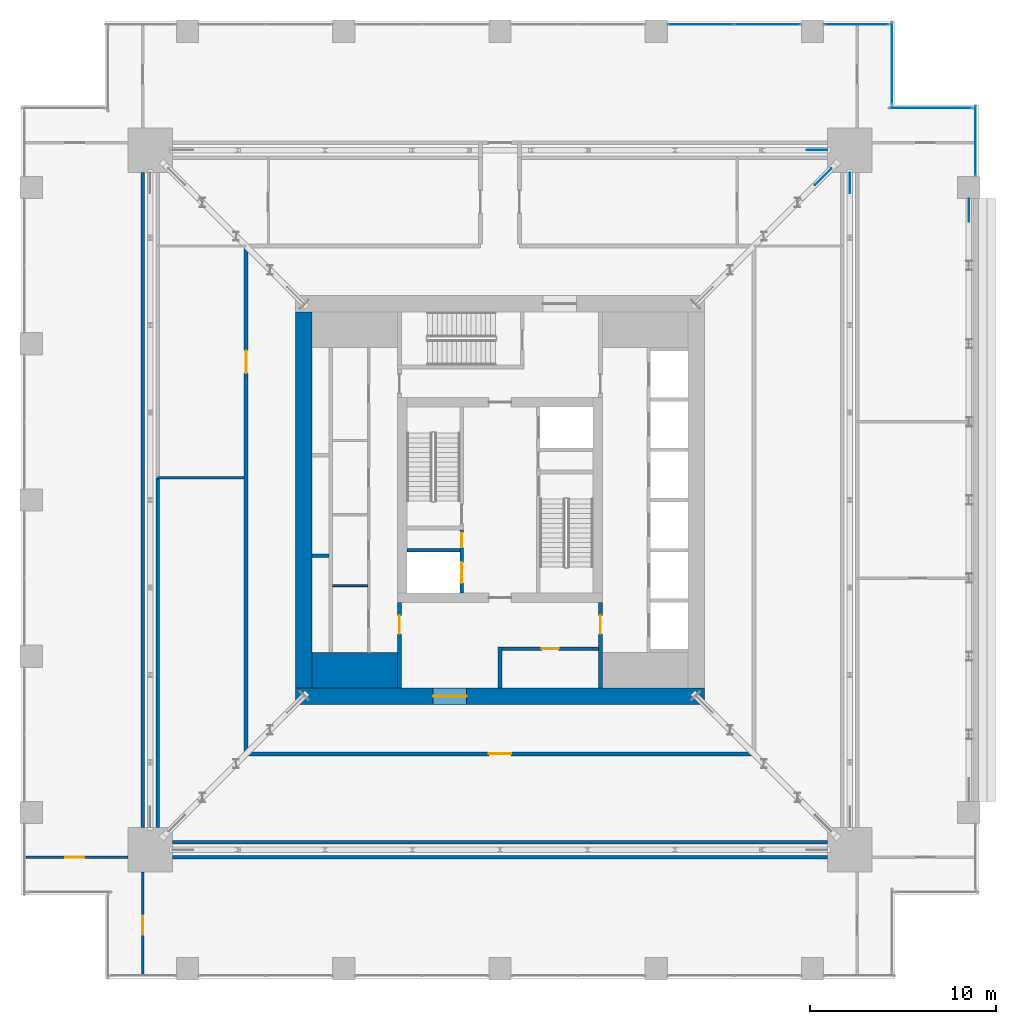
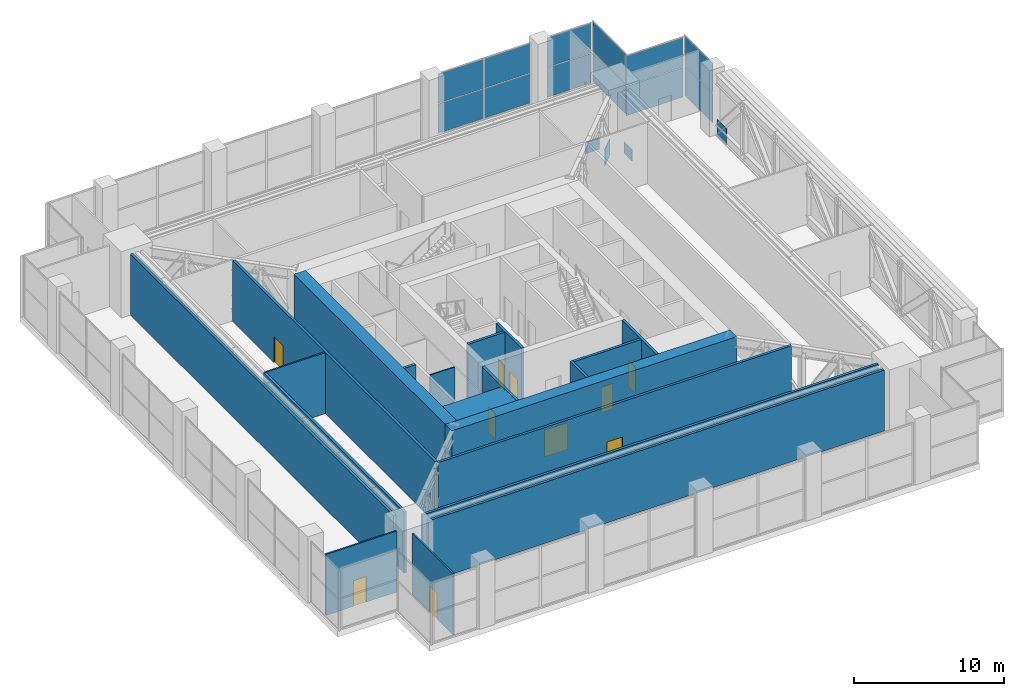
# One storey, part 15 of 21: 20 walls, 16 plates, 10 doors, 10 openings, 5 elements without a shape of their own.
"""IFC4 building model written with IfcOpenShell, lengths in metres."""

from ifc_helpers import new_model, si_unit, direction, frame, frame_2d, origin, origin_2d, place, context, subcontext, project, spatial, rectangle, extrude, material, layer, layer_set, type_object, element, fill, aggregate, save


model = new_model("IFC4")

# Units and contexts
model_context = context("Model", 3, precision=1e-05, world=origin(), true_north=direction((0.0, 1.0)))
body_context = subcontext(model_context, "Body", "Model", "MODEL_VIEW")
ifc_project = project(units=[si_unit("LENGTHUNIT", "METRE"), si_unit("AREAUNIT", "SQUARE_METRE"), si_unit("VOLUMEUNIT", "CUBIC_METRE"), si_unit("PLANEANGLEUNIT", "RADIAN"), si_unit("MASSUNIT", "GRAM", prefix="KILO")], contexts=[model_context])

# Site, building, storey
site_placement = place(None, origin())
site = spatial("IfcSite", under=ifc_project, at=site_placement, CompositionType="ELEMENT")
building_placement = place(site_placement, origin())
building = spatial("IfcBuilding", under=site, at=building_placement, Name="Khepri Terraces", CompositionType="ELEMENT")
storey_placement = place(building_placement, frame((0.0, 0.0, 235.199951171875)))
storey = spatial("IfcBuildingStorey", under=building, at=storey_placement, Name="L56", CompositionType="ELEMENT", Elevation=235.199951171875)

# Curtain wall, plates
ifc_material_1 = material(Name="Anodised aluminium bronze curtain wall", Category="aluminium")
curtain_wall_type = type_object("IfcCurtainWallType", Name="CW-SYS3-SKY", PredefinedType="NOTDEFINED", material=ifc_material_1)
curtain_wall_1_placement = place(storey_placement, origin())
curtain_wall_1 = element("IfcCurtainWall", 1, at=curtain_wall_1_placement, inside=storey, type_object=curtain_wall_type, Name="Curtain wall CW3 L56 E", PredefinedType="NOTDEFINED")
ifc_material_2 = material(Name="Clear glass", Category="glass")
ifc_layer_1 = layer(ifc_material_2, 0.028076171875, Name="Clear glass", Category="glass")
ifc_layer_set_1 = layer_set([ifc_layer_1], Name="Clear glass")
plate_type_1 = type_object("IfcPlateType", Name="CW-PANEL-VISION-28", PredefinedType="CURTAIN_PANEL", material=ifc_layer_set_1)
plate_1_placement = place(storey_placement, frame((25.570068359375, 19.31005859375, 0.06005859375), z_axis=(0.0, 0.0, 1.0), x_axis=(0.0, 1.0, 0.0)))
plate_1 = element("IfcPlate", 2, at=plate_1_placement, type_object=plate_type_1, Name="CW3 panel 1.1", PredefinedType="CURTAIN_PANEL", context=body_context, shape_type="SweptSolid", body=[
    extrude(rectangle(XDim=3.699951171875, YDim=0.028076171875, at=origin_2d()), origin(), (0.0, 0.0, 1.0), 2.39990234375),
])
plate_2_placement = place(storey_placement, frame((25.570068359375, 19.31005859375, 2.52001953125), z_axis=(0.0, 0.0, 1.0), x_axis=(0.0, 1.0, 0.0)))
plate_2 = element("IfcPlate", 3, at=plate_2_placement, type_object=plate_type_1, Name="CW3 panel 1.2", PredefinedType="CURTAIN_PANEL", context=body_context, shape_type="SweptSolid", body=[
    extrude(rectangle(XDim=3.699951171875, YDim=0.028076171875, at=origin_2d()), origin(), (0.0, 0.0, 1.0), 2.39990234375),
])
aggregate(curtain_wall_1, [plate_1, plate_2])

curtain_wall_2_placement = place(storey_placement, origin())
curtain_wall_2 = element("IfcCurtainWall", 4, at=curtain_wall_2_placement, inside=storey, type_object=curtain_wall_type, Name="Curtain wall CW3 L56 N", PredefinedType="NOTDEFINED")
plate_3_placement = place(storey_placement, frame((23.169921875, 21.070068359375, 0.06005859375), z_axis=(0.0, 0.0, 1.0), x_axis=(-1.0, 0.0, 0.0)))
plate_3 = element("IfcPlate", 5, at=plate_3_placement, type_object=plate_type_1, Name="CW3 panel 1.1", PredefinedType="CURTAIN_PANEL", context=body_context, shape_type="SweptSolid", body=[
    extrude(rectangle(XDim=4.3798828125, YDim=0.028076171875, at=origin_2d()), origin(), (0.0, 0.0, 1.0), 2.39990234375),
])
plate_4_placement = place(storey_placement, frame((23.169921875, 21.070068359375, 2.52001953125), z_axis=(0.0, 0.0, 1.0), x_axis=(-1.0, 0.0, 0.0)))
plate_4 = element("IfcPlate", 6, at=plate_4_placement, type_object=plate_type_1, Name="CW3 panel 1.2", PredefinedType="CURTAIN_PANEL", context=body_context, shape_type="SweptSolid", body=[
    extrude(rectangle(XDim=4.3798828125, YDim=0.028076171875, at=origin_2d()), origin(), (0.0, 0.0, 1.0), 2.39990234375),
])
aggregate(curtain_wall_2, [plate_3, plate_4])

curtain_wall_3_placement = place(storey_placement, origin())
curtain_wall_3 = element("IfcCurtainWall", 7, at=curtain_wall_3_placement, inside=storey, type_object=curtain_wall_type, Name="Curtain wall CW3 L56 E", PredefinedType="NOTDEFINED")
plate_5_placement = place(storey_placement, frame((21.070068359375, 23.469970703125, 0.06005859375), z_axis=(0.0, 0.0, 1.0), x_axis=(0.0, 1.0, 0.0)))
plate_5 = element("IfcPlate", 8, at=plate_5_placement, type_object=plate_type_1, Name="CW3 panel 1.1", PredefinedType="CURTAIN_PANEL", context=body_context, shape_type="SweptSolid", body=[
    extrude(rectangle(XDim=4.3798828125, YDim=0.028076171875, at=origin_2d()), origin(), (0.0, 0.0, 1.0), 2.39990234375),
])
plate_6_placement = place(storey_placement, frame((21.070068359375, 23.469970703125, 2.52001953125), z_axis=(0.0, 0.0, 1.0), x_axis=(0.0, 1.0, 0.0)))
plate_6 = element("IfcPlate", 9, at=plate_6_placement, type_object=plate_type_1, Name="CW3 panel 1.2", PredefinedType="CURTAIN_PANEL", context=body_context, shape_type="SweptSolid", body=[
    extrude(rectangle(XDim=4.3798828125, YDim=0.028076171875, at=origin_2d()), origin(), (0.0, 0.0, 1.0), 2.39990234375),
])
aggregate(curtain_wall_3, [plate_5, plate_6])

curtain_wall_4_placement = place(storey_placement, origin())
curtain_wall_4 = element("IfcCurtainWall", 10, at=curtain_wall_4_placement, inside=storey, type_object=curtain_wall_type, Name="Curtain wall CW3 L56 N", PredefinedType="NOTDEFINED")
plate_7_placement = place(storey_placement, frame((19.159912109375, 25.570068359375, 0.06005859375), z_axis=(0.0, 0.0, 1.0), x_axis=(-1.0, 0.0, 0.0)))
plate_7 = element("IfcPlate", 11, at=plate_7_placement, type_object=plate_type_1, Name="CW3 panel 1.1", PredefinedType="CURTAIN_PANEL", context=body_context, shape_type="SweptSolid", body=[
    extrude(rectangle(XDim=3.39990234375, YDim=0.028076171875, at=origin_2d()), origin(), (0.0, 0.0, 1.0), 2.39990234375),
])
plate_8_placement = place(storey_placement, frame((19.159912109375, 25.570068359375, 2.52001953125), z_axis=(0.0, 0.0, 1.0), x_axis=(-1.0, 0.0, 0.0)))
plate_8 = element("IfcPlate", 12, at=plate_8_placement, type_object=plate_type_1, Name="CW3 panel 1.2", PredefinedType="CURTAIN_PANEL", context=body_context, shape_type="SweptSolid", body=[
    extrude(rectangle(XDim=3.39990234375, YDim=0.028076171875, at=origin_2d()), origin(), (0.0, 0.0, 1.0), 2.39990234375),
])
aggregate(curtain_wall_4, [plate_7, plate_8])

curtain_wall_5_placement = place(storey_placement, origin())
curtain_wall_5 = element("IfcCurtainWall", 13, at=curtain_wall_5_placement, inside=storey, type_object=curtain_wall_type, Name="Curtain wall CW3 L56 N", PredefinedType="NOTDEFINED")
plate_9_placement = place(storey_placement, frame((14.385009765625, 25.570068359375, 0.06005859375), z_axis=(0.0, 0.0, 1.0), x_axis=(-1.0, 0.0, 0.0)))
plate_9 = element("IfcPlate", 14, at=plate_9_placement, type_object=plate_type_1, Name="CW3 panel 1.1", PredefinedType="CURTAIN_PANEL", context=body_context, shape_type="SweptSolid", body=[
    extrude(rectangle(XDim=3.510009765625, YDim=0.028076171875, at=origin_2d()), origin(), (0.0, 0.0, 1.0), 2.39990234375),
])
plate_10_placement = place(storey_placement, frame((14.385009765625, 25.570068359375, 2.52001953125), z_axis=(0.0, 0.0, 1.0), x_axis=(-1.0, 0.0, 0.0)))
plate_10 = element("IfcPlate", 15, at=plate_10_placement, type_object=plate_type_1, Name="CW3 panel 1.2", PredefinedType="CURTAIN_PANEL", context=body_context, shape_type="SweptSolid", body=[
    extrude(rectangle(XDim=3.510009765625, YDim=0.028076171875, at=origin_2d()), origin(), (0.0, 0.0, 1.0), 2.39990234375),
])
plate_11_placement = place(storey_placement, frame((10.81494140625, 25.570068359375, 0.06005859375), z_axis=(0.0, 0.0, 1.0), x_axis=(-1.0, 0.0, 0.0)))
plate_11 = element("IfcPlate", 16, at=plate_11_placement, type_object=plate_type_1, Name="CW3 panel 2.1", PredefinedType="CURTAIN_PANEL", context=body_context, shape_type="SweptSolid", body=[
    extrude(rectangle(XDim=3.510009765625, YDim=0.028076171875, at=origin_2d()), origin(), (0.0, 0.0, 1.0), 2.39990234375),
])
plate_12_placement = place(storey_placement, frame((10.81494140625, 25.570068359375, 2.52001953125), z_axis=(0.0, 0.0, 1.0), x_axis=(-1.0, 0.0, 0.0)))
plate_12 = element("IfcPlate", 17, at=plate_12_placement, type_object=plate_type_1, Name="CW3 panel 2.2", PredefinedType="CURTAIN_PANEL", context=body_context, shape_type="SweptSolid", body=[
    extrude(rectangle(XDim=3.510009765625, YDim=0.028076171875, at=origin_2d()), origin(), (0.0, 0.0, 1.0), 2.39990234375),
])
aggregate(curtain_wall_5, [plate_9, plate_10, plate_11, plate_12])

# Plates
ifc_material_3 = material(Name="Steel S355", Category="steel")
ifc_layer_2 = layer(ifc_material_3, 0.02490234375, Name="Steel S355", Category="steel")
ifc_layer_set_2 = layer_set([ifc_layer_2], Name="Steel S355")
plate_type_2 = type_object("IfcPlateType", Name="Gusset plate 1100x950x25", PredefinedType="USERDEFINED", material=ifc_layer_set_2)
for number, where, z_axis, x_axis, name in (
    (18, (18.800048828125, 17.050048828125, -0.10009765625), (0.0, 0.0, 1.0), (0.0, 1.0, 0.0), "GUSSET PLATE BT-56-E column node B"),
    (19, (17.050048828125, 18.800048828125, -0.10009765625), (0.0, 0.0, 1.0), (-1.0, 0.0, 0.0), "GUSSET PLATE BT-56-N column node A"),
):
    element("IfcPlate", number, at=place(storey_placement, frame(where, z_axis=z_axis, x_axis=x_axis)), inside=storey, type_object=plate_type_2, Name=name, ObjectType="GUSSET PLATE", PredefinedType="USERDEFINED", context=body_context, shape_type="SweptSolid", body=[
        extrude(rectangle(XDim=1.10009765625, YDim=0.02490234375, at=origin_2d()), origin(), (0.0, 0.0, 1.0), 0.949951171875),
    ])
ifc_layer_3 = layer(ifc_material_3, 0.030029296875, Name="Steel S355", Category="steel")
ifc_layer_set_3 = layer_set([ifc_layer_3], Name="Steel S355")
plate_type_3 = type_object("IfcPlateType", Name="Gusset plate 1250x1350x30", PredefinedType="USERDEFINED", material=ifc_layer_set_3)
for number, where, z_axis, x_axis, name in (
    (20, (17.3701171875, 17.3701171875, -0.10009765625), (0.0, 0.0, 1.0), (0.707106781187, 0.707106781187, 0.0), "GUSSET PLATE OT-56-EN column node B"),
    (21, (25.199951171875, 15.574951171875, -0.10009765625), (0.0, 0.0, 1.0), (0.0, 1.0, 0.0), "GUSSET PLATE TT-56-E column node B"),
):
    element("IfcPlate", number, at=place(storey_placement, frame(where, z_axis=z_axis, x_axis=x_axis)), inside=storey, type_object=plate_type_3, Name=name, ObjectType="GUSSET PLATE", PredefinedType="USERDEFINED", context=body_context, shape_type="SweptSolid", body=[
        extrude(rectangle(XDim=1.25, YDim=0.030029296875, at=origin_2d()), origin(), (0.0, 0.0, 1.0), 1.35009765625),
    ])

# Wall
ifc_material_4 = material(Name="Concrete C50/60", Category="concrete")
ifc_layer_4 = layer(ifc_material_4, 1.89990234375, Name="Concrete C50/60", Category="concrete")
ifc_layer_set_4 = layer_set([ifc_layer_4], Name="Concrete C50/60")
wall_type_1 = type_object("IfcWallType", Name="Core wall 1900 C50/60", PredefinedType="SHEAR", material=ifc_layer_set_4)
wall_1_placement = place(storey_placement, frame((-10.10009765625, -9.14990234375, 0.0), z_axis=(0.0, 0.0, 1.0), x_axis=(1.0, 0.0, 0.0)))
element("IfcWall", 22, at=wall_1_placement, inside=storey, type_object=wall_type_1, Name="Core wall PR01 L56", PredefinedType="SHEAR", context=body_context, shape_type="SweptSolid", body=[
    extrude(rectangle(XDim=4.60009765625, YDim=1.89990234375, at=frame_2d((2.300048828125, 0.0))), origin(), (0.0, 0.0, 1.0), 4.97998046875),
])

# Wall, openings, doors
ifc_layer_5 = layer(ifc_material_4, 0.199951171875, Name="Concrete C50/60", Category="concrete")
ifc_layer_set_5 = layer_set([ifc_layer_5], Name="Concrete C50/60")
wall_type_2 = type_object("IfcWallType", Name="Core wall 200 C50/60", PredefinedType="SHEAR", material=ifc_layer_set_5)
wall_2_placement = place(storey_placement, frame((-2.050048828125, -5.0, 0.0), z_axis=(0.0, 0.0, 1.0), x_axis=(0.0, 1.0, 0.0)))
wall_2 = element("IfcWall", 23, at=wall_2_placement, inside=storey, type_object=wall_type_2, Name="Core wall SH05 L56", PredefinedType="SHEAR", context=body_context, shape_type="SweptSolid", body=[
    extrude(rectangle(XDim=3.39990234375, YDim=0.199951171875, at=frame_2d((1.699951171875, 0.0))), origin(), (0.0, 0.0, 1.0), 4.97998046875),
])
opening_1_placement = place(wall_2_placement, frame((0.550048828125, 0.0, 0.0)))
opening_1 = element("IfcOpeningElement", 24, at=opening_1_placement, cuts=wall_2, Name="Opening L56-C08", PredefinedType="OPENING", context=body_context, shape_type="SweptSolid", body=[
    extrude(rectangle(XDim=1.10009765625, YDim=2.10009765625, at=frame_2d((0.550048828125, 1.050048828125))), frame((0.0, 0.10986328125, 0.0), z_axis=(0.0, -1.0, 0.0), x_axis=(1.0, 0.0, 0.0)), (0.0, 0.0, 1.0), 0.219970703125),
])
opening_2_placement = place(wall_2_placement, frame((2.449951171875, 0.0, 0.0)))
opening_2 = element("IfcOpeningElement", 25, at=opening_2_placement, cuts=wall_2, Name="Opening L56-C12", PredefinedType="OPENING", context=body_context, shape_type="SweptSolid", body=[
    extrude(rectangle(XDim=0.800048828125, YDim=2.10009765625, at=frame_2d((0.39990234375, 1.050048828125))), frame((0.0, 0.10986328125, 0.0), z_axis=(0.0, -1.0, 0.0), x_axis=(1.0, 0.0, 0.0)), (0.0, 0.0, 1.0), 0.219970703125),
])
ifc_material_5 = material(Name="Stainless steel 304", Category="steel")
door_type_1 = type_object("IfcDoorType", Name="DR-CORE-FF-LANDING-1100", OperationType="NOTDEFINED", PredefinedType="DOOR", material=ifc_material_5)
door_1_placement = place(opening_1_placement, origin())
door_1 = element("IfcDoor", 26, at=door_1_placement, inside=storey, type_object=door_type_1, Name="Firefighting lift landing door L56-C08", OperationType="SLIDING_TO_LEFT", OverallHeight=2.10009765625, OverallWidth=1.10009765625, PredefinedType="DOOR", context=body_context, shape_type="SweptSolid", body=[
    extrude(rectangle(XDim=1.10009765625, YDim=2.10009765625, at=frame_2d((0.550048828125, 1.050048828125))), frame((0.0, 0.02490234375, 0.0), z_axis=(0.0, -1.0, 0.0), x_axis=(1.0, 0.0, 0.0)), (0.0, 0.0, 1.0), 0.050048828125),
])
fill(opening_1, door_1)
ifc_material_6 = material(Name="Painted steel", Category="steel")
door_type_2 = type_object("IfcDoorType", Name="DR-CORE-RISER-800", OperationType="NOTDEFINED", PredefinedType="DOOR", material=ifc_material_6)
door_2_placement = place(opening_2_placement, origin())
door_2 = element("IfcDoor", 27, at=door_2_placement, inside=storey, type_object=door_type_2, Name="Riser door L56-C12", OperationType="SINGLE_SWING_RIGHT", OverallHeight=2.10009765625, OverallWidth=0.800048828125, PredefinedType="DOOR", context=body_context, shape_type="SweptSolid", body=[
    extrude(rectangle(XDim=0.800048828125, YDim=2.10009765625, at=frame_2d((0.39990234375, 1.050048828125))), frame((0.0, 0.02490234375, 0.0), z_axis=(0.0, -1.0, 0.0), x_axis=(1.0, 0.0, 0.0)), (0.0, 0.0, 1.0), 0.050048828125),
])
fill(opening_2, door_2)

# Walls
wall_3_placement = place(storey_placement, frame((-10.10009765625, -3.0, 0.0), z_axis=(0.0, 0.0, 1.0), x_axis=(1.0, 0.0, 0.0)))
element("IfcWall", 28, at=wall_3_placement, inside=storey, type_object=wall_type_2, Name="Core wall SH06 L56", PredefinedType="SHEAR", context=body_context, shape_type="SweptSolid", body=[
    extrude(rectangle(XDim=0.900146484375, YDim=0.199951171875, at=frame_2d((0.4501953125, 0.0))), origin(), (0.0, 0.0, 1.0), 4.97998046875),
])
wall_4_placement = place(storey_placement, frame((-5.0, -2.699951171875, 0.0), z_axis=(0.0, 0.0, 1.0), x_axis=(1.0, 0.0, 0.0)))
element("IfcWall", 29, at=wall_4_placement, inside=storey, type_object=wall_type_2, Name="Core wall SH07 L56", PredefinedType="SHEAR", context=body_context, shape_type="SweptSolid", body=[
    extrude(rectangle(XDim=2.85009765625, YDim=0.199951171875, at=frame_2d((1.425048828125, 0.0))), origin(), (0.0, 0.0, 1.0), 4.97998046875),
])

# Wall, opening, door
ifc_layer_6 = layer(ifc_material_4, 0.89990234375, Name="Concrete C50/60", Category="concrete")
ifc_layer_set_6 = layer_set([ifc_layer_6], Name="Concrete C50/60")
wall_type_3 = type_object("IfcWallType", Name="Core wall 900 C50/60", PredefinedType="SHEAR", material=ifc_layer_set_6)
wall_5_placement = place(storey_placement, frame((-11.0, -10.550048828125, 0.0), z_axis=(0.0, 0.0, 1.0), x_axis=(1.0, 0.0, 0.0)))
wall_5 = element("IfcWall", 30, at=wall_5_placement, inside=storey, type_object=wall_type_3, Name="Core wall OW-S L56", PredefinedType="SHEAR", context=body_context, shape_type="SweptSolid", body=[
    extrude(rectangle(XDim=22.0, YDim=0.89990234375, at=frame_2d((11.0, 0.0))), origin(), (0.0, 0.0, 1.0), 4.97998046875),
])
opening_3_placement = place(wall_5_placement, frame((7.39990234375, 0.0, 0.0)))
opening_3 = element("IfcOpeningElement", 31, at=opening_3_placement, cuts=wall_5, Name="Opening L56-C21", PredefinedType="OPENING", context=body_context, shape_type="SweptSolid", body=[
    extrude(rectangle(XDim=1.800048828125, YDim=2.199951171875, at=frame_2d((0.89990234375, 1.10009765625))), frame((0.0, 0.4599609375, 0.0), z_axis=(0.0, -1.0, 0.0), x_axis=(1.0, 0.0, 0.0)), (0.0, 0.0, 1.0), 0.919921875),
])
door_type_3 = type_object("IfcDoorType", Name="DR-CORE-ENTRANCE-1800", OperationType="NOTDEFINED", PredefinedType="DOOR", material=ifc_material_6)
door_3_placement = place(opening_3_placement, frame((1.800048828125, 0.0, 0.0), z_axis=(0.0, 0.0, 1.0), x_axis=(-1.0, 0.0, 0.0)))
door_3 = element("IfcDoor", 32, at=door_3_placement, inside=storey, type_object=door_type_3, Name="Core entrance door pair L56-C21", OperationType="DOUBLE_DOOR_SINGLE_SWING", OverallHeight=2.199951171875, OverallWidth=1.800048828125, PredefinedType="DOOR", context=body_context, shape_type="SweptSolid", body=[
    extrude(rectangle(XDim=1.800048828125, YDim=2.199951171875, at=frame_2d((0.89990234375, 1.10009765625))), frame((0.0, 0.02490234375, 0.0), z_axis=(0.0, -1.0, 0.0), x_axis=(1.0, 0.0, 0.0)), (0.0, 0.0, 1.0), 0.050048828125),
])
fill(opening_3, door_3)

# Walls
wall_6_placement = place(storey_placement, frame((-10.550048828125, -10.10009765625, 0.0), z_axis=(0.0, 0.0, 1.0), x_axis=(0.0, 1.0, 0.0)))
element("IfcWall", 33, at=wall_6_placement, inside=storey, type_object=wall_type_3, Name="Core wall OW-W L56", PredefinedType="SHEAR", context=body_context, shape_type="SweptSolid", body=[
    extrude(rectangle(XDim=20.2001953125, YDim=0.89990234375, at=frame_2d((10.10009765625, 0.0))), origin(), (0.0, 0.0, 1.0), 4.97998046875),
])
ifc_material_7 = material(Name="Fire-rated gypsum board partition")
ifc_layer_7 = layer(ifc_material_7, 0.10009765625, Name="Fire-rated gypsum board partition")
ifc_layer_set_7 = layer_set([ifc_layer_7], Name="Fire-rated gypsum board partition")
wall_type_4 = type_object("IfcWallType", Name="WL-CORE-PART-100", PredefinedType="PARTITIONING", material=ifc_layer_set_7)
wall_7_placement = place(storey_placement, frame((-9.0, -4.60009765625, 0.0), z_axis=(0.0, 0.0, 1.0), x_axis=(1.0, 0.0, 0.0)))
element("IfcWall", 34, at=wall_7_placement, inside=storey, type_object=wall_type_4, Name="Core partition PT06 L56", PredefinedType="PARTITIONING", context=body_context, shape_type="SweptSolid", body=[
    extrude(rectangle(XDim=1.89990234375, YDim=0.10009765625, at=frame_2d((0.949951171875, 0.0))), origin(), (0.0, 0.0, 1.0), 4.97998046875),
])

# Wall, opening, door
ifc_layer_8 = layer(ifc_material_7, 0.199951171875, Name="Fire-rated gypsum board partition")
ifc_layer_set_8 = layer_set([ifc_layer_8], Name="Fire-rated gypsum board partition")
wall_type_5 = type_object("IfcWallType", Name="WL-CORE-PART-200", PredefinedType="PARTITIONING", material=ifc_layer_set_8)
wall_8_placement = place(storey_placement, frame((-5.39990234375, -10.10009765625, 0.0), z_axis=(0.0, 0.0, 1.0), x_axis=(0.0, 1.0, 0.0)))
wall_8 = element("IfcWall", 35, at=wall_8_placement, inside=storey, type_object=wall_type_5, Name="Core partition PT01 L56", PredefinedType="PARTITIONING", context=body_context, shape_type="SweptSolid", body=[
    extrude(rectangle(XDim=4.60009765625, YDim=0.199951171875, at=frame_2d((2.300048828125, 0.0))), origin(), (0.0, 0.0, 1.0), 4.97998046875),
])
opening_4_placement = place(wall_8_placement, frame((2.89990234375, 0.0, 0.0)))
opening_4 = element("IfcOpeningElement", 36, at=opening_4_placement, cuts=wall_8, Name="Opening L56-C18", PredefinedType="OPENING", context=body_context, shape_type="SweptSolid", body=[
    extrude(rectangle(XDim=1.0, YDim=2.10009765625, at=frame_2d((0.5, 1.050048828125))), frame((0.0, 0.10986328125, 0.0), z_axis=(0.0, -1.0, 0.0), x_axis=(1.0, 0.0, 0.0)), (0.0, 0.0, 1.0), 0.219970703125),
])
door_type_4 = type_object("IfcDoorType", Name="DR-CORE-LOBBY-1000", OperationType="NOTDEFINED", PredefinedType="DOOR", material=ifc_material_6)
door_4_placement = place(opening_4_placement, frame((1.0, 0.0, 0.0), z_axis=(0.0, 0.0, 1.0), x_axis=(-1.0, 0.0, 0.0)))
door_4 = element("IfcDoor", 37, at=door_4_placement, inside=storey, type_object=door_type_4, Name="Lobby door L56-C18", OperationType="SINGLE_SWING_LEFT", OverallHeight=2.10009765625, OverallWidth=1.0, PredefinedType="DOOR", context=body_context, shape_type="SweptSolid", body=[
    extrude(rectangle(XDim=1.0, YDim=2.10009765625, at=frame_2d((0.5, 1.050048828125))), frame((0.0, 0.02490234375, 0.0), z_axis=(0.0, -1.0, 0.0), x_axis=(1.0, 0.0, 0.0)), (0.0, 0.0, 1.0), 0.050048828125),
])
fill(opening_4, door_4)

# Wall
wall_9_placement = place(storey_placement, frame((0.0, -10.10009765625, 0.0), z_axis=(0.0, 0.0, 1.0), x_axis=(0.0, 1.0, 0.0)))
element("IfcWall", 38, at=wall_9_placement, inside=storey, type_object=wall_type_5, Name="Core partition PT02 L56", PredefinedType="PARTITIONING", context=body_context, shape_type="SweptSolid", body=[
    extrude(rectangle(XDim=2.2001953125, YDim=0.199951171875, at=frame_2d((1.10009765625, 0.0))), origin(), (0.0, 0.0, 1.0), 4.97998046875),
])

# Wall, opening, door
wall_10_placement = place(storey_placement, frame((5.39990234375, -10.10009765625, 0.0), z_axis=(0.0, 0.0, 1.0), x_axis=(0.0, 1.0, 0.0)))
wall_10 = element("IfcWall", 39, at=wall_10_placement, inside=storey, type_object=wall_type_5, Name="Core partition PT03 L56", PredefinedType="PARTITIONING", context=body_context, shape_type="SweptSolid", body=[
    extrude(rectangle(XDim=4.60009765625, YDim=0.199951171875, at=frame_2d((2.300048828125, 0.0))), origin(), (0.0, 0.0, 1.0), 4.97998046875),
])
opening_5_placement = place(wall_10_placement, frame((2.89990234375, 0.0, 0.0)))
opening_5 = element("IfcOpeningElement", 40, at=opening_5_placement, cuts=wall_10, Name="Opening L56-C19", PredefinedType="OPENING", context=body_context, shape_type="SweptSolid", body=[
    extrude(rectangle(XDim=1.0, YDim=2.10009765625, at=frame_2d((0.5, 1.050048828125))), frame((0.0, 0.10986328125, 0.0), z_axis=(0.0, -1.0, 0.0), x_axis=(1.0, 0.0, 0.0)), (0.0, 0.0, 1.0), 0.219970703125),
])
door_5_placement = place(opening_5_placement, origin())
door_5 = element("IfcDoor", 41, at=door_5_placement, inside=storey, type_object=door_type_4, Name="Lobby door L56-C19", OperationType="SINGLE_SWING_RIGHT", OverallHeight=2.10009765625, OverallWidth=1.0, PredefinedType="DOOR", context=body_context, shape_type="SweptSolid", body=[
    extrude(rectangle(XDim=1.0, YDim=2.10009765625, at=frame_2d((0.5, 1.050048828125))), frame((0.0, 0.02490234375, 0.0), z_axis=(0.0, -1.0, 0.0), x_axis=(1.0, 0.0, 0.0)), (0.0, 0.0, 1.0), 0.050048828125),
])
fill(opening_5, door_5)

wall_11_placement = place(storey_placement, frame((0.10009765625, -8.0, 0.0), z_axis=(0.0, 0.0, 1.0), x_axis=(1.0, 0.0, 0.0)))
wall_11 = element("IfcWall", 42, at=wall_11_placement, inside=storey, type_object=wall_type_5, Name="Core partition PT05 L56", PredefinedType="PARTITIONING", context=body_context, shape_type="SweptSolid", body=[
    extrude(rectangle(XDim=5.199951171875, YDim=0.199951171875, at=frame_2d((2.60009765625, 0.0))), origin(), (0.0, 0.0, 1.0), 4.97998046875),
])
opening_6_placement = place(wall_11_placement, frame((2.14990234375, 0.0, 0.0)))
opening_6 = element("IfcOpeningElement", 43, at=opening_6_placement, cuts=wall_11, Name="Opening L56-C22", PredefinedType="OPENING", context=body_context, shape_type="SweptSolid", body=[
    extrude(rectangle(XDim=0.89990234375, YDim=2.10009765625, at=frame_2d((0.449951171875, 1.050048828125))), frame((0.0, 0.10986328125, 0.0), z_axis=(0.0, -1.0, 0.0), x_axis=(1.0, 0.0, 0.0)), (0.0, 0.0, 1.0), 0.219970703125),
])
door_type_5 = type_object("IfcDoorType", Name="DR-CORE-SERVICE-900", OperationType="NOTDEFINED", PredefinedType="DOOR", material=ifc_material_6)
door_6_placement = place(opening_6_placement, frame((0.89990234375, 0.0, 0.0), z_axis=(0.0, 0.0, 1.0), x_axis=(-1.0, 0.0, 0.0)))
door_6 = element("IfcDoor", 44, at=door_6_placement, inside=storey, type_object=door_type_5, Name="Service room door L56-C22", OperationType="SINGLE_SWING_LEFT", OverallHeight=2.10009765625, OverallWidth=0.89990234375, PredefinedType="DOOR", context=body_context, shape_type="SweptSolid", body=[
    extrude(rectangle(XDim=0.89990234375, YDim=2.10009765625, at=frame_2d((0.449951171875, 1.050048828125))), frame((0.0, 0.02490234375, 0.0), z_axis=(0.0, -1.0, 0.0), x_axis=(1.0, 0.0, 0.0)), (0.0, 0.0, 1.0), 0.050048828125),
])
fill(opening_6, door_6)

# Walls
ifc_material_8 = material(Name="Fire-rated gypsum plasterboard partition, mineral wool")
ifc_layer_9 = layer(ifc_material_8, 0.199951171875, Name="Fire-rated gypsum plasterboard partition, mineral wool")
ifc_layer_set_9 = layer_set([ifc_layer_9], Name="Fire-rated gypsum plasterboard partition, mineral wool")
wall_type_6 = type_object("IfcWallType", Name="WL-CORR-200", PredefinedType="PARTITIONING", material=ifc_layer_set_9)
for number, where, z_axis, x_axis, name in (
    (45, (-17.60009765625, -19.199951171875, 0.0), (0.0, 0.0, 1.0), (1.0, 0.0, 0.0), "Partition P-004 L56"),
    (46, (-17.60009765625, -18.39990234375, 0.0), (0.0, 0.0, 1.0), (1.0, 0.0, 0.0), "Partition P-006 L56"),
    (47, (-19.199951171875, -17.60009765625, 0.0), (0.0, 0.0, 1.0), (0.0, 1.0, 0.0), "Partition P-007 L56"),
):
    element("IfcWall", number, at=place(storey_placement, frame(where, z_axis=z_axis, x_axis=x_axis)), inside=storey, type_object=wall_type_6, Name=name, PredefinedType="PARTITIONING", context=body_context, shape_type="SweptSolid", body=[
        extrude(rectangle(XDim=35.2001953125, YDim=0.199951171875, at=frame_2d((17.60009765625, 0.0))), origin(), (0.0, 0.0, 1.0), 4.97998046875),
    ])
wall_12_placement = place(storey_placement, frame((-18.39990234375, -17.60009765625, 0.0), z_axis=(0.0, 0.0, 1.0), x_axis=(0.0, 1.0, 0.0)))
element("IfcWall", 48, at=wall_12_placement, inside=storey, type_object=wall_type_6, Name="Partition P-008 L56", PredefinedType="PARTITIONING", context=body_context, shape_type="SweptSolid", body=[
    extrude(rectangle(XDim=18.780029296875, YDim=0.199951171875, at=frame_2d((9.39013671875, 0.0))), origin(), (0.0, 0.0, 1.0), 4.97998046875),
])

# Wall, opening, door
wall_13_placement = place(storey_placement, frame((-13.64990234375, -13.64990234375, 0.0), z_axis=(0.0, 0.0, 1.0), x_axis=(1.0, 0.0, 0.0)))
wall_13 = element("IfcWall", 49, at=wall_13_placement, inside=storey, type_object=wall_type_6, Name="Partition P-011 L56", PredefinedType="PARTITIONING", context=body_context, shape_type="SweptSolid", body=[
    extrude(rectangle(XDim=27.2998046875, YDim=0.199951171875, at=frame_2d((13.64990234375, 0.0))), origin(), (0.0, 0.0, 1.0), 4.97998046875),
])
opening_7_placement = place(wall_13_placement, frame((13.050048828125, 0.0, 0.0)))
opening_7 = element("IfcOpeningElement", 50, at=opening_7_placement, cuts=wall_13, Name="Opening D6", PredefinedType="OPENING", context=body_context, shape_type="SweptSolid", body=[
    extrude(rectangle(XDim=1.199951171875, YDim=2.10009765625, at=frame_2d((0.60009765625, 1.050048828125))), frame((0.0, 0.10986328125, 0.0), z_axis=(0.0, -1.0, 0.0), x_axis=(1.0, 0.0, 0.0)), (0.0, 0.0, 1.0), 0.219970703125),
])
ifc_material_9 = material(Name="Timber door leaf, public room, fire-rated", Category="wood")
door_type_6 = type_object("IfcDoorType", Name="DR-PUB-1200", OperationType="NOTDEFINED", PredefinedType="DOOR", material=ifc_material_9)
door_7_placement = place(opening_7_placement, frame((1.199951171875, 0.0, 0.0), z_axis=(0.0, 0.0, 1.0), x_axis=(-1.0, 0.0, 0.0)))
door_7 = element("IfcDoor", 51, at=door_7_placement, inside=storey, type_object=door_type_6, Name="Door Refuge Area", OperationType="SINGLE_SWING_LEFT", OverallHeight=2.10009765625, OverallWidth=1.199951171875, PredefinedType="DOOR", context=body_context, shape_type="SweptSolid", body=[
    extrude(rectangle(XDim=1.199951171875, YDim=2.10009765625, at=frame_2d((0.60009765625, 1.050048828125))), frame((0.0, 0.02490234375, 0.0), z_axis=(0.0, -1.0, 0.0), x_axis=(1.0, 0.0, 0.0)), (0.0, 0.0, 1.0), 0.050048828125),
])
fill(opening_7, door_7)

wall_14_placement = place(storey_placement, frame((-13.64990234375, -13.550048828125, 0.0), z_axis=(0.0, 0.0, 1.0), x_axis=(0.0, 1.0, 0.0)))
wall_14 = element("IfcWall", 52, at=wall_14_placement, inside=storey, type_object=wall_type_6, Name="Partition P-012 L56", PredefinedType="PARTITIONING", context=body_context, shape_type="SweptSolid", body=[
    extrude(rectangle(XDim=27.10009765625, YDim=0.199951171875, at=frame_2d((13.550048828125, 0.0))), origin(), (0.0, 0.0, 1.0), 4.97998046875),
])
opening_8_placement = place(wall_14_placement, frame((20.375, 0.0, 0.0)))
opening_8 = element("IfcOpeningElement", 53, at=opening_8_placement, cuts=wall_14, Name="Opening D6", PredefinedType="OPENING", context=body_context, shape_type="SweptSolid", body=[
    extrude(rectangle(XDim=1.199951171875, YDim=2.10009765625, at=frame_2d((0.60009765625, 1.050048828125))), frame((0.0, 0.10986328125, 0.0), z_axis=(0.0, -1.0, 0.0), x_axis=(1.0, 0.0, 0.0)), (0.0, 0.0, 1.0), 0.219970703125),
])
door_8_placement = place(opening_8_placement, origin())
door_8 = element("IfcDoor", 54, at=door_8_placement, inside=storey, type_object=door_type_6, Name="Door Club Service Kitchen", OperationType="SINGLE_SWING_RIGHT", OverallHeight=2.10009765625, OverallWidth=1.199951171875, PredefinedType="DOOR", context=body_context, shape_type="SweptSolid", body=[
    extrude(rectangle(XDim=1.199951171875, YDim=2.10009765625, at=frame_2d((0.60009765625, 1.050048828125))), frame((0.0, 0.02490234375, 0.0), z_axis=(0.0, -1.0, 0.0), x_axis=(1.0, 0.0, 0.0)), (0.0, 0.0, 1.0), 0.050048828125),
])
fill(opening_8, door_8)

ifc_material_10 = material(Name="Gypsum plasterboard partition")
ifc_layer_10 = layer(ifc_material_10, 0.1201171875, Name="Gypsum plasterboard partition")
ifc_layer_set_10 = layer_set([ifc_layer_10], Name="Gypsum plasterboard partition")
wall_type_7 = type_object("IfcWallType", Name="WL-PART-120", PredefinedType="PARTITIONING", material=ifc_layer_set_10)
wall_15_placement = place(storey_placement, frame((-19.199951171875, -25.469970703125, 0.0), z_axis=(0.0, 0.0, 1.0), x_axis=(0.0, 1.0, 0.0)))
wall_15 = element("IfcWall", 55, at=wall_15_placement, inside=storey, type_object=wall_type_7, Name="Partition P-001 L56", PredefinedType="PARTITIONING", context=body_context, shape_type="SweptSolid", body=[
    extrude(rectangle(XDim=5.469970703125, YDim=0.1201171875, at=frame_2d((2.73486328125, 0.0))), origin(), (0.0, 0.0, 1.0), 4.97998046875),
])
opening_9_placement = place(wall_15_placement, frame((2.110107421875, 0.0, 0.0)))
opening_9 = element("IfcOpeningElement", 56, at=opening_9_placement, cuts=wall_15, Name="Opening D2", PredefinedType="OPENING", context=body_context, shape_type="SweptSolid", body=[
    extrude(rectangle(XDim=1.0, YDim=2.10009765625, at=frame_2d((0.5, 1.050048828125))), frame((0.0, 0.070068359375, 0.0), z_axis=(0.0, -1.0, 0.0), x_axis=(1.0, 0.0, 0.0)), (0.0, 0.0, 1.0), 0.14013671875),
])
ifc_material_11 = material(Name="Timber door leaf, living room door", Category="wood")
door_type_7 = type_object("IfcDoorType", Name="DR-INT-1000", OperationType="NOTDEFINED", PredefinedType="DOOR", material=ifc_material_11)
door_9_placement = place(opening_9_placement, frame((1.0, 0.0, 0.0), z_axis=(0.0, 0.0, 1.0), x_axis=(-1.0, 0.0, 0.0)))
door_9 = element("IfcDoor", 57, at=door_9_placement, inside=storey, type_object=door_type_7, Name="Door Sky Gymnasium", OperationType="SINGLE_SWING_RIGHT", OverallHeight=2.10009765625, OverallWidth=1.0, PredefinedType="DOOR", context=body_context, shape_type="SweptSolid", body=[
    extrude(rectangle(XDim=1.0, YDim=2.10009765625, at=frame_2d((0.5, 1.050048828125))), frame((0.0, 0.02490234375, 0.0), z_axis=(0.0, -1.0, 0.0), x_axis=(1.0, 0.0, 0.0)), (0.0, 0.0, 1.0), 0.050048828125),
])
fill(opening_9, door_9)

wall_16_placement = place(storey_placement, frame((-25.469970703125, -19.199951171875, 0.0), z_axis=(0.0, 0.0, 1.0), x_axis=(1.0, 0.0, 0.0)))
wall_16 = element("IfcWall", 58, at=wall_16_placement, inside=storey, type_object=wall_type_7, Name="Partition P-003 L56", PredefinedType="PARTITIONING", context=body_context, shape_type="SweptSolid", body=[
    extrude(rectangle(XDim=5.469970703125, YDim=0.1201171875, at=frame_2d((2.73486328125, 0.0))), origin(), (0.0, 0.0, 1.0), 4.97998046875),
])
opening_10_placement = place(wall_16_placement, frame((2.110107421875, 0.0, 0.0)))
opening_10 = element("IfcOpeningElement", 59, at=opening_10_placement, cuts=wall_16, Name="Opening D2", PredefinedType="OPENING", context=body_context, shape_type="SweptSolid", body=[
    extrude(rectangle(XDim=1.0, YDim=2.10009765625, at=frame_2d((0.5, 1.050048828125))), frame((0.0, 0.070068359375, 0.0), z_axis=(0.0, -1.0, 0.0), x_axis=(1.0, 0.0, 0.0)), (0.0, 0.0, 1.0), 0.14013671875),
])
door_10_placement = place(opening_10_placement, frame((1.0, 0.0, 0.0), z_axis=(0.0, 0.0, 1.0), x_axis=(-1.0, 0.0, 0.0)))
door_10 = element("IfcDoor", 60, at=door_10_placement, inside=storey, type_object=door_type_7, Name="Door Juice Bar", OperationType="SINGLE_SWING_RIGHT", OverallHeight=2.10009765625, OverallWidth=1.0, PredefinedType="DOOR", context=body_context, shape_type="SweptSolid", body=[
    extrude(rectangle(XDim=1.0, YDim=2.10009765625, at=frame_2d((0.5, 1.050048828125))), frame((0.0, 0.02490234375, 0.0), z_axis=(0.0, -1.0, 0.0), x_axis=(1.0, 0.0, 0.0)), (0.0, 0.0, 1.0), 0.050048828125),
])
fill(opening_10, door_10)

# Wall
wall_17_placement = place(storey_placement, frame((-18.39990234375, 1.199951171875, 0.0), z_axis=(0.0, 0.0, 1.0), x_axis=(1.0, 0.0, 0.0)))
element("IfcWall", 61, at=wall_17_placement, inside=storey, type_object=wall_type_7, Name="Partition P-016 L56", PredefinedType="PARTITIONING", context=body_context, shape_type="SweptSolid", body=[
    extrude(rectangle(XDim=4.64990234375, YDim=0.1201171875, at=frame_2d((2.324951171875, 0.0))), origin(), (0.0, 0.0, 1.0), 4.97998046875),
])

save(model, "model.ifc")
